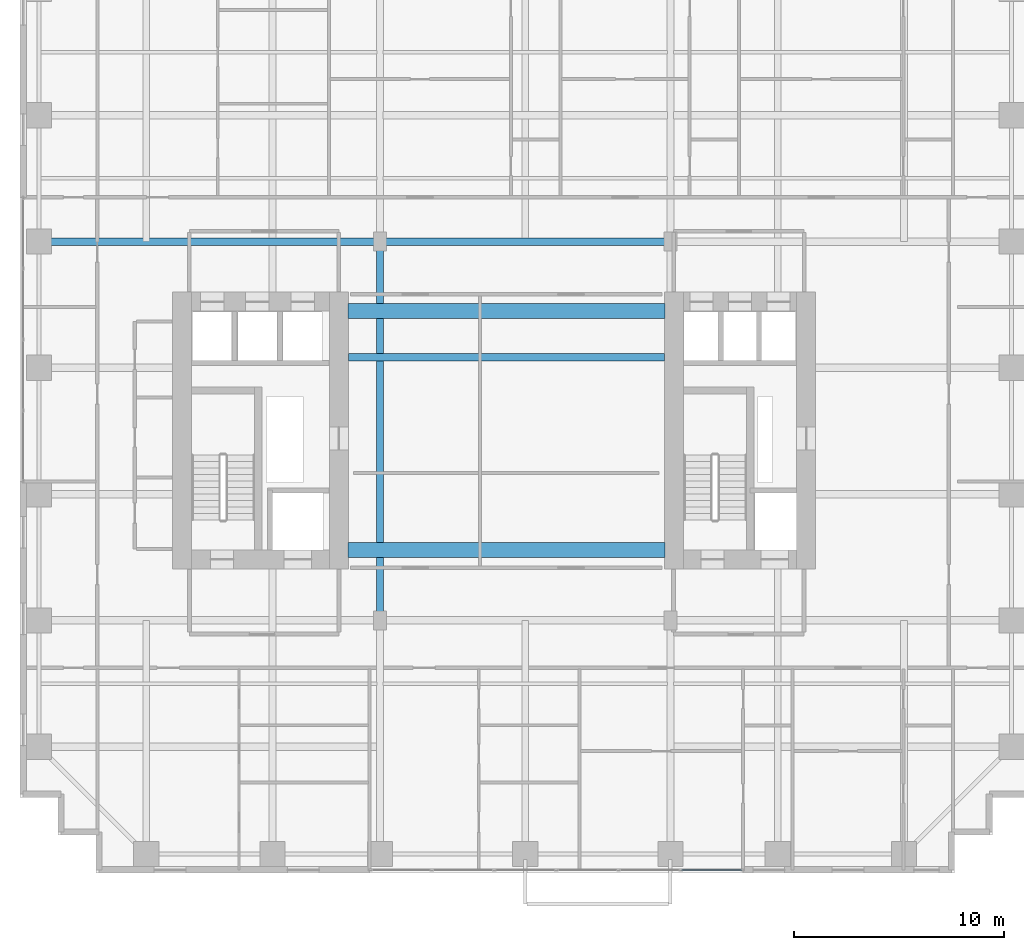
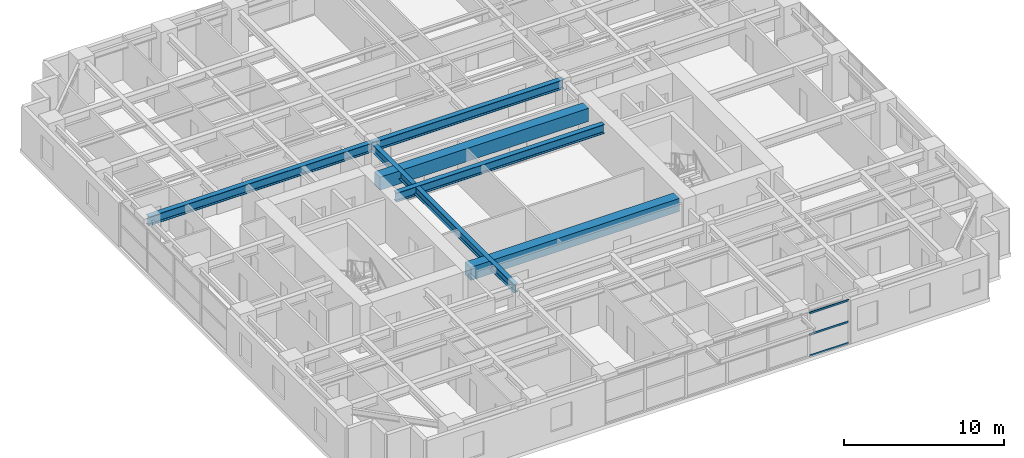
# One storey, part 6 of 24: 6 beams, 3 members, 1 element without a shape of its own.
"""IFC4 building model written with IfcOpenShell, lengths in metres."""

from ifc_helpers import new_model, si_unit, direction, frame, origin, origin_2d, place, context, subcontext, project, spatial, rectangle, hollow_rectangle, i_section, extrude, source, transform, mapped, material, layer, layer_set, material_profile, profile_set, type_object, element, aggregate, save


model = new_model("IFC4")

# Units and contexts
model_context = context("Model", 3, precision=1e-05, world=origin(), true_north=direction((0.0, 1.0)))
body_context = subcontext(model_context, "Body", "Model", "MODEL_VIEW")
ifc_project = project(units=[si_unit("LENGTHUNIT", "METRE"), si_unit("AREAUNIT", "SQUARE_METRE"), si_unit("VOLUMEUNIT", "CUBIC_METRE"), si_unit("PLANEANGLEUNIT", "RADIAN"), si_unit("MASSUNIT", "GRAM", prefix="KILO")], contexts=[model_context])

# Site, building, storey
site_placement = place(None, origin())
site = spatial("IfcSite", under=ifc_project, at=site_placement, CompositionType="ELEMENT")
building_placement = place(site_placement, origin())
building = spatial("IfcBuilding", under=site, at=building_placement, Name="Khoralis Quay Care Tower", CompositionType="ELEMENT")
storey_placement = place(building_placement, frame((0.0, 0.0, 54.89990234375)))
storey = spatial("IfcBuildingStorey", under=building, at=storey_placement, Name="L14", CompositionType="ELEMENT", Elevation=54.89990234375)

# Beams
ifc_material_1 = material(Name="Concrete C80/95", Category="concrete")
ifc_material_profile_1 = material_profile(ifc_material_1, rectangle(XDim=0.699951171875, YDim=1.0, at=origin_2d()), Name="Concrete C80/95")
ifc_profile_set_1 = profile_set([ifc_material_profile_1], Name="Concrete C80/95")
beam_type_1 = type_object("IfcBeamType", Name="CB-RC700X1000", PredefinedType="LINTEL", material=ifc_profile_set_1)
shared_shape_1 = source(origin(), body_context, "Body", "SweptSolid", [
    extrude(rectangle(XDim=0.699951171875, YDim=1.0, at=origin_2d()), origin(), (0.0, 0.0, 1.0), 15.079833984375),
])
for number, where, z_axis, x_axis, name in (
    (1, (15.570068359375, 15.35009765625, 2.820068359375), (1.0, 0.0, 0.0), (0.0, 1.0, 0.0), "L14 South Core Coupling Lintel"),
    (2, (15.570068359375, 26.699951171875, 2.820068359375), (1.0, 0.0, 0.0), (0.0, 1.0, 0.0), "L14 North Core Coupling Lintel"),
):
    element("IfcBeam", number, at=place(storey_placement, frame(where, z_axis=z_axis, x_axis=x_axis)), inside=storey, type_object=beam_type_1, Name=name, PredefinedType="LINTEL", context=body_context, shape_type="MappedRepresentation", body=[
        mapped(shared_shape_1, transform((0.0, 0.0, 0.0), scale=1.0)),
    ])
ifc_material_2 = material(Name="Steel S355", Category="steel")
ifc_material_profile_2 = material_profile(ifc_material_2, i_section(OverallWidth=0.35498046875, OverallDepth=0.695068359375, WebThickness=0.015380859375, FlangeThickness=0.02490234375, FilletRadius=0.02001953125, at=origin_2d()), Name="Steel S355")
ifc_profile_set_2 = profile_set([ifc_material_profile_2], Name="Steel S355")
beam_type_2 = type_object("IfcBeamType", Name="BM-W690X217", PredefinedType="BEAM", material=ifc_profile_set_2)
shared_shape_2 = source(origin(), body_context, "Body", "SweptSolid", [
    extrude(i_section(OverallWidth=0.35498046875, OverallDepth=0.695068359375, WebThickness=0.015380859375, FlangeThickness=0.02490234375, FilletRadius=0.02001953125, at=origin_2d()), origin(), (0.0, 0.0, 1.0), 16.2001953125),
])
beam_1_placement = place(storey_placement, frame((0.89990234375, 30.0, 2.97265625), z_axis=(1.0, 0.0, 0.0), x_axis=(0.0, 1.0, 0.0)))
element("IfcBeam", 3, at=beam_1_placement, inside=storey, type_object=beam_type_2, Name="BM-TGXW-L14-300", PredefinedType="BEAM", context=body_context, shape_type="MappedRepresentation", body=[
    mapped(shared_shape_2, transform((0.0, 0.0, 0.0), scale=1.0)),
])
shared_shape_3 = source(origin(), body_context, "Body", "SweptSolid", [
    extrude(i_section(OverallWidth=0.35498046875, OverallDepth=0.695068359375, WebThickness=0.015380859375, FlangeThickness=0.02490234375, FilletRadius=0.02001953125, at=origin_2d()), origin(), (0.0, 0.0, 1.0), 13.7998046875),
])
beam_2_placement = place(storey_placement, frame((17.10009765625, 30.0, 2.97265625), z_axis=(1.0, 0.0, 0.0), x_axis=(0.0, 1.0, 0.0)))
element("IfcBeam", 4, at=beam_2_placement, inside=storey, type_object=beam_type_2, Name="BM-TGCC-L14-300", PredefinedType="BEAM", context=body_context, shape_type="MappedRepresentation", body=[
    mapped(shared_shape_3, transform((0.0, 0.0, 0.0), scale=1.0)),
])
shared_shape_4 = source(origin(), body_context, "Body", "SweptSolid", [
    extrude(i_section(OverallWidth=0.35498046875, OverallDepth=0.695068359375, WebThickness=0.015380859375, FlangeThickness=0.02490234375, FilletRadius=0.02001953125, at=origin_2d()), origin(), (0.0, 0.0, 1.0), 15.024169921875),
])
beam_3_placement = place(storey_placement, frame((15.597900390625, 24.5, 2.97265625), z_axis=(1.0, 0.0, 0.0), x_axis=(0.0, 1.0, 0.0)))
element("IfcBeam", 5, at=beam_3_placement, inside=storey, type_object=beam_type_2, Name="BM-TGCC-L14-245", PredefinedType="BEAM", context=body_context, shape_type="MappedRepresentation", body=[
    mapped(shared_shape_4, transform((0.0, 0.0, 0.0), scale=1.0)),
])
ifc_material_profile_3 = material_profile(ifc_material_2, i_section(OverallWidth=0.324951171875, OverallDepth=0.615966796875, WebThickness=0.013916015625, FlangeThickness=0.021484375, FilletRadius=0.01806640625, at=origin_2d()), Name="Steel S355")
ifc_profile_set_3 = profile_set([ifc_material_profile_3], Name="Steel S355")
beam_type_3 = type_object("IfcBeamType", Name="BM-W610X174", PredefinedType="BEAM", material=ifc_profile_set_3)
shared_shape_5 = source(origin(), body_context, "Body", "SweptSolid", [
    extrude(i_section(OverallWidth=0.324951171875, OverallDepth=0.615966796875, WebThickness=0.013916015625, FlangeThickness=0.021484375, FilletRadius=0.01806640625, at=origin_2d()), origin(), (0.0, 0.0, 1.0), 18.0),
])
beam_4_placement = place(storey_placement, frame((17.10009765625, 12.0, 3.01220703125), z_axis=(0.0, 1.0, 0.0), x_axis=(-1.0, 0.0, 0.0)))
element("IfcBeam", 6, at=beam_4_placement, inside=storey, type_object=beam_type_3, Name="BM-TGSW-L14", PredefinedType="BEAM", context=body_context, shape_type="MappedRepresentation", body=[
    mapped(shared_shape_5, transform((0.0, 0.0, 0.0), scale=1.0)),
])

# Curtain wall, members
ifc_material_3 = material(Name="Pale anodised aluminium", Category="aluminium")
ifc_layer = layer(ifc_material_3, 0.179931640625)
ifc_layer_set = layer_set([ifc_layer], Name="Pale anodised aluminium")
curtain_wall_type = type_object("IfcCurtainWallType", Name="CW-SYS-Z1", PredefinedType="NOTDEFINED", material=ifc_layer_set)
curtain_wall_placement = place(storey_placement, origin())
curtain_wall = element("IfcCurtainWall", 7, at=curtain_wall_placement, inside=storey, type_object=curtain_wall_type, Name="L14 Unitised Curtain Wall CW-L14-P1-E0", PredefinedType="NOTDEFINED")
ifc_material_profile_4 = material_profile(ifc_material_3, hollow_rectangle(XDim=0.06005859375, YDim=0.139892578125, WallThickness=0.00390625, at=origin_2d()), Name="Pale anodised aluminium")
ifc_profile_set_4 = profile_set([ifc_material_profile_4], Name="Pale anodised aluminium")
member_type = type_object("IfcMemberType", Name="CW-TRN-140", PredefinedType="USERDEFINED", material=ifc_profile_set_4)
shared_shape_6 = source(origin(), body_context, "Body", "SweptSolid", [
    extrude(hollow_rectangle(XDim=0.06005859375, YDim=0.139892578125, WallThickness=0.00390625, at=origin_2d()), origin(), (0.0, 0.0, 1.0), 2.86669921875),
])
member_1_placement = place(storey_placement, frame((31.42333984375, 0.14990234375, 0.030029296875), z_axis=(1.0, 0.0, 0.0), x_axis=(0.0, 1.0, 0.0)))
member_1 = element("IfcMember", 8, at=member_1_placement, type_object=member_type, Name="CW1 transom 6.1", ObjectType="TRANSOM", PredefinedType="USERDEFINED", context=body_context, shape_type="MappedRepresentation", body=[
    mapped(shared_shape_6, transform((0.0, 0.0, 0.0), scale=1.0)),
])
member_2_placement = place(storey_placement, frame((31.42333984375, 0.14990234375, 1.66015625), z_axis=(1.0, 0.0, 0.0), x_axis=(0.0, 1.0, 0.0)))
member_2 = element("IfcMember", 9, at=member_2_placement, type_object=member_type, Name="CW1 transom 6.2", ObjectType="TRANSOM", PredefinedType="USERDEFINED", context=body_context, shape_type="MappedRepresentation", body=[
    mapped(shared_shape_6, transform((0.0, 0.0, 0.0), scale=1.0)),
])
member_3_placement = place(storey_placement, frame((31.42333984375, 0.14990234375, 3.2900390625), z_axis=(1.0, 0.0, 0.0), x_axis=(0.0, 1.0, 0.0)))
member_3 = element("IfcMember", 10, at=member_3_placement, type_object=member_type, Name="CW1 transom 6.3", ObjectType="TRANSOM", PredefinedType="USERDEFINED", context=body_context, shape_type="MappedRepresentation", body=[
    mapped(shared_shape_6, transform((0.0, 0.0, 0.0), scale=1.0)),
])
aggregate(curtain_wall, [member_1, member_2, member_3])

save(model, "model.ifc")
